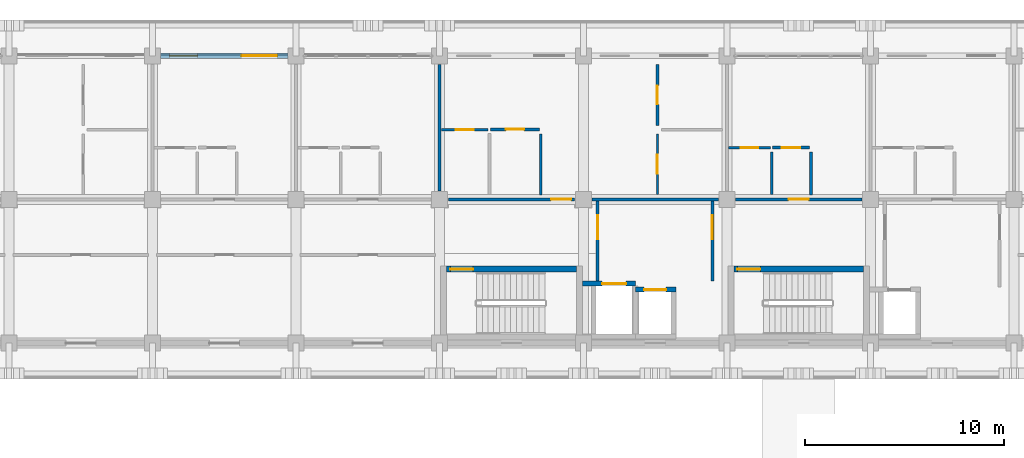
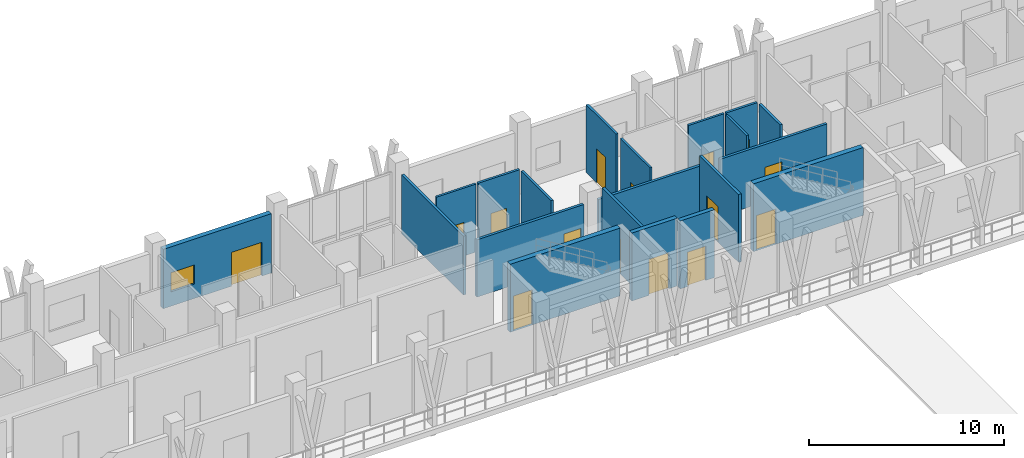
# One storey, part 75 of 110: 20 walls, 15 doors, 1 window, 16 openings.
"""IFC4 building model written with IfcOpenShell, lengths in metres."""

from ifc_helpers import new_model, si_unit, direction, frame, frame_2d, origin, place, context, subcontext, project, spatial, rectangle, extrude, material, layer, layer_set, type_object, element, fill, save


model = new_model("IFC4")

# Units and contexts
model_context = context("Model", 3, precision=1e-05, world=origin(), true_north=direction((0.0, 1.0)))
body_context = subcontext(model_context, "Body", "Model", "MODEL_VIEW")
ifc_project = project(units=[si_unit("LENGTHUNIT", "METRE"), si_unit("AREAUNIT", "SQUARE_METRE"), si_unit("VOLUMEUNIT", "CUBIC_METRE"), si_unit("PLANEANGLEUNIT", "RADIAN"), si_unit("MASSUNIT", "GRAM", prefix="KILO")], contexts=[model_context])

# Site, building, storey
site_placement = place(None, origin())
site = spatial("IfcSite", under=ifc_project, at=site_placement, CompositionType="ELEMENT")
building_placement = place(site_placement, origin())
building = spatial("IfcBuilding", under=site, at=building_placement, Name="Suanplinth Sawtooth Commons", CompositionType="ELEMENT")
storey_placement = place(building_placement, frame((0.0, 0.0, 4.5)))
storey = spatial("IfcBuildingStorey", under=building, at=storey_placement, Name="L01", CompositionType="ELEMENT", Elevation=4.5)

# Wall, opening, door
ifc_material_1 = material(Name="Concrete C40/50", Category="concrete")
ifc_layer_1 = layer(ifc_material_1, 0.300048828125, Name="Standard RC stair and lift core wall 300mm")
ifc_layer_set_1 = layer_set([ifc_layer_1], Name="Concrete C40/50")
wall_type_1 = type_object("IfcWallType", Name="W-CR02", PredefinedType="SHEAR", material=ifc_layer_set_1)
wall_1_placement = place(storey_placement, frame((43.550048828125, 111.699951171875, 0.0), z_axis=(0.0, 0.0, 1.0), x_axis=(1.0, 0.0, 0.0)))
wall_1 = element("IfcWall", 1, at=wall_1_placement, inside=storey, type_object=wall_type_1, Name="W-L01-C-A1-STN", PredefinedType="SHEAR", context=body_context, shape_type="SweptSolid", body=[
    extrude(rectangle(XDim=6.5, YDim=0.300048828125, at=frame_2d((3.25, 0.0))), origin(), (0.0, 0.0, 1.0), 4.25),
])
opening_1_placement = place(wall_1_placement, frame((0.179931640625, 0.0, 0.0)))
opening_1 = element("IfcOpeningElement", 2, at=opening_1_placement, cuts=wall_1, Name="Opening FD0011", PredefinedType="OPENING", context=body_context, shape_type="SweptSolid", body=[
    extrude(rectangle(XDim=1.14990234375, YDim=2.199951171875, at=frame_2d((0.574951171875, 1.10009765625))), frame((0.0, 0.1650390625, 0.0), z_axis=(0.0, -1.0, 0.0), x_axis=(1.0, 0.0, 0.0)), (0.0, 0.0, 1.0), 0.329833984375),
])
ifc_material_2 = material(Name="Teak hardwood fire-rated door assembly", Category="wood")
door_type_1 = type_object("IfcDoorType", Name="FD-01", OperationType="NOTDEFINED", PredefinedType="DOOR", material=ifc_material_2)
door_1_placement = place(opening_1_placement, frame((1.14990234375, 0.0, 0.0), z_axis=(0.0, 0.0, 1.0), x_axis=(-1.0, 0.0, 0.0)))
door_1 = element("IfcDoor", 3, at=door_1_placement, inside=storey, type_object=door_type_1, Name="Exit Stair Fire Door FD0011", OperationType="SINGLE_SWING_RIGHT", OverallHeight=2.199951171875, OverallWidth=1.14990234375, PredefinedType="DOOR", context=body_context, shape_type="SweptSolid", body=[
    extrude(rectangle(XDim=1.14990234375, YDim=2.199951171875, at=frame_2d((0.574951171875, 1.10009765625))), frame((0.0, 0.02490234375, 0.0), z_axis=(0.0, -1.0, 0.0), x_axis=(1.0, 0.0, 0.0)), (0.0, 0.0, 1.0), 0.050048828125),
])
fill(opening_1, door_1)

wall_2_placement = place(storey_placement, frame((57.949951171875, 111.699951171875, 0.0), z_axis=(0.0, 0.0, 1.0), x_axis=(1.0, 0.0, 0.0)))
wall_2 = element("IfcWall", 4, at=wall_2_placement, inside=storey, type_object=wall_type_1, Name="W-L01-C-A2-STN", PredefinedType="SHEAR", context=body_context, shape_type="SweptSolid", body=[
    extrude(rectangle(XDim=6.5, YDim=0.300048828125, at=frame_2d((3.25, 0.0))), origin(), (0.0, 0.0, 1.0), 4.25),
])
opening_2_placement = place(wall_2_placement, frame((0.179931640625, 0.0, 0.0)))
opening_2 = element("IfcOpeningElement", 5, at=opening_2_placement, cuts=wall_2, Name="Opening FD0094", PredefinedType="OPENING", context=body_context, shape_type="SweptSolid", body=[
    extrude(rectangle(XDim=1.14990234375, YDim=2.199951171875, at=frame_2d((0.574951171875, 1.10009765625))), frame((0.0, 0.1650390625, 0.0), z_axis=(0.0, -1.0, 0.0), x_axis=(1.0, 0.0, 0.0)), (0.0, 0.0, 1.0), 0.329833984375),
])
door_2_placement = place(opening_2_placement, frame((1.14990234375, 0.0, 0.0), z_axis=(0.0, 0.0, 1.0), x_axis=(-1.0, 0.0, 0.0)))
door_2 = element("IfcDoor", 6, at=door_2_placement, inside=storey, type_object=door_type_1, Name="Exit Stair Fire Door FD0094", OperationType="SINGLE_SWING_LEFT", OverallHeight=2.199951171875, OverallWidth=1.14990234375, PredefinedType="DOOR", context=body_context, shape_type="SweptSolid", body=[
    extrude(rectangle(XDim=1.14990234375, YDim=2.199951171875, at=frame_2d((0.574951171875, 1.10009765625))), frame((0.0, 0.02490234375, 0.0), z_axis=(0.0, -1.0, 0.0), x_axis=(1.0, 0.0, 0.0)), (0.0, 0.0, 1.0), 0.050048828125),
])
fill(opening_2, door_2)

# Wall, openings, door, window
ifc_material_3 = material(Name="Precast concrete C40/50", Category="concrete")
ifc_layer_2 = layer(ifc_material_3, 0.280029296875, Name="Insulated precast architectural facade wall 280mm")
ifc_layer_set_2 = layer_set([ifc_layer_2], Name="Precast concrete C40/50")
wall_type_2 = type_object("IfcWallType", Name="W-EX01", PredefinedType="ELEMENTEDWALL", material=ifc_layer_set_2)
wall_3_placement = place(storey_placement, frame((29.199951171875, 122.39990234375, 0.0), z_axis=(0.0, 0.0, 1.0), x_axis=(1.0, 0.0, 0.0)))
wall_3 = element("IfcWall", 7, at=wall_3_placement, inside=storey, type_object=wall_type_2, Name="Facade Wall W-L01-A-N-4", PredefinedType="ELEMENTEDWALL", context=body_context, shape_type="SweptSolid", body=[
    extrude(rectangle(XDim=6.400146484375, YDim=0.280029296875, at=frame_2d((3.2001953125, 0.0))), origin(), (0.0, 0.0, 1.0), 3.715087890625),
])
opening_3_placement = place(wall_3_placement, frame((4.050048828125, 0.0, 0.0)))
opening_3 = element("IfcOpeningElement", 8, at=opening_3_placement, cuts=wall_3, Name="Opening ED0046", PredefinedType="OPENING", context=body_context, shape_type="SweptSolid", body=[
    extrude(rectangle(XDim=1.800048828125, YDim=2.1201171875, at=frame_2d((0.89990234375, 1.06005859375))), frame((0.0, 0.15478515625, 0.0), z_axis=(0.0, -1.0, 0.0), x_axis=(1.0, 0.0, 0.0)), (0.0, 0.0, 1.0), 0.309814453125),
])
opening_4_placement = place(wall_3_placement, frame((0.449951171875, 0.0, 0.89990234375)))
opening_4 = element("IfcOpeningElement", 9, at=opening_4_placement, cuts=wall_3, Name="Opening W0171", PredefinedType="OPENING", context=body_context, shape_type="SweptSolid", body=[
    extrude(rectangle(XDim=1.39990234375, YDim=1.199951171875, at=frame_2d((0.699951171875, 0.60009765625))), frame((0.0, 0.15478515625, 0.0), z_axis=(0.0, -1.0, 0.0), x_axis=(1.0, 0.0, 0.0)), (0.0, 0.0, 1.0), 0.309814453125),
])
ifc_material_4 = material(Name="Anodized aluminium and low-E glass", Category="aluminium")
door_type_2 = type_object("IfcDoorType", Name="SD-01", OperationType="SLIDING_TO_LEFT", PredefinedType="DOOR", material=ifc_material_4)
door_3_placement = place(opening_3_placement, frame((1.800048828125, 0.0, 0.0), z_axis=(0.0, 0.0, 1.0), x_axis=(-1.0, 0.0, 0.0)))
door_3 = element("IfcDoor", 10, at=door_3_placement, inside=storey, type_object=door_type_2, Name="Balcony Sliding Door L01-A-N-4", OperationType="SLIDING_TO_LEFT", OverallHeight=2.1201171875, OverallWidth=1.800048828125, PredefinedType="DOOR", context=body_context, shape_type="SweptSolid", body=[
    extrude(rectangle(XDim=1.800048828125, YDim=2.1201171875, at=frame_2d((0.89990234375, 1.06005859375))), frame((0.0, 0.02490234375, 0.0), z_axis=(0.0, -1.0, 0.0), x_axis=(1.0, 0.0, 0.0)), (0.0, 0.0, 1.0), 0.050048828125),
])
fill(opening_3, door_3)
ifc_material_5 = material(Name="Thermally broken aluminium and low-E double glazing", Category="aluminium")
window_type = type_object("IfcWindowType", Name="WN-10", PartitioningType="DOUBLE_PANEL_HORIZONTAL", PredefinedType="WINDOW", material=ifc_material_5)
window_placement = place(opening_4_placement, origin())
window = element("IfcWindow", 11, at=window_placement, inside=storey, type_object=window_type, Name="Window L01-A-N-4", OverallHeight=1.199951171875, OverallWidth=1.39990234375, PartitioningType="DOUBLE_PANEL_HORIZONTAL", PredefinedType="WINDOW", context=body_context, shape_type="SweptSolid", body=[
    extrude(rectangle(XDim=1.39990234375, YDim=1.199951171875, at=frame_2d((0.699951171875, 0.60009765625))), frame((0.0, 0.030029296875, 0.0), z_axis=(0.0, -1.0, 0.0), x_axis=(1.0, 0.0, 0.0)), (0.0, 0.0, 1.0), 0.06005859375),
])
fill(opening_4, window)

# Wall, opening, door
ifc_layer_3 = layer(ifc_material_3, 0.159912109375, Name="Fire-rated corridor and lobby wall 160mm")
ifc_layer_set_3 = layer_set([ifc_layer_3], Name="Precast concrete C40/50")
wall_type_3 = type_object("IfcWallType", Name="W-FW01", PredefinedType="PARTITIONING", material=ifc_layer_set_3)
wall_4_placement = place(storey_placement, frame((51.1201171875, 111.10009765625, 0.0), z_axis=(0.0, 0.0, 1.0), x_axis=(0.0, 1.0, 0.0)))
wall_4 = element("IfcWall", 12, at=wall_4_placement, inside=storey, type_object=wall_type_3, Name="W-L01-C-A1-LOB-W", PredefinedType="PARTITIONING", context=body_context, shape_type="SweptSolid", body=[
    extrude(rectangle(XDim=4.02001953125, YDim=0.159912109375, at=frame_2d((2.010009765625, 0.0))), origin(), (0.0, 0.0, 1.0), 4.25),
])
opening_5_placement = place(wall_4_placement, frame((2.10009765625, 0.0, 0.0)))
opening_5 = element("IfcOpeningElement", 13, at=opening_5_placement, cuts=wall_4, Name="Opening FD0012", PredefinedType="OPENING", context=body_context, shape_type="SweptSolid", body=[
    extrude(rectangle(XDim=1.199951171875, YDim=2.199951171875, at=frame_2d((0.60009765625, 1.10009765625))), frame((0.0, 0.0947265625, 0.0), z_axis=(0.0, -1.0, 0.0), x_axis=(1.0, 0.0, 0.0)), (0.0, 0.0, 1.0), 0.189697265625),
])
door_type_3 = type_object("IfcDoorType", Name="FD-02", OperationType="NOTDEFINED", PredefinedType="DOOR", material=ifc_material_2)
door_4_placement = place(opening_5_placement, origin())
door_4 = element("IfcDoor", 14, at=door_4_placement, inside=storey, type_object=door_type_3, Name="Lobby Fire Door FD0012", OperationType="SINGLE_SWING_LEFT", OverallHeight=2.199951171875, OverallWidth=1.199951171875, PredefinedType="DOOR", context=body_context, shape_type="SweptSolid", body=[
    extrude(rectangle(XDim=1.199951171875, YDim=2.199951171875, at=frame_2d((0.60009765625, 1.10009765625))), frame((0.0, 0.02490234375, 0.0), z_axis=(0.0, -1.0, 0.0), x_axis=(1.0, 0.0, 0.0)), (0.0, 0.0, 1.0), 0.050048828125),
])
fill(opening_5, door_4)

wall_5_placement = place(storey_placement, frame((56.8798828125, 111.10009765625, 0.0), z_axis=(0.0, 0.0, 1.0), x_axis=(0.0, 1.0, 0.0)))
wall_5 = element("IfcWall", 15, at=wall_5_placement, inside=storey, type_object=wall_type_3, Name="W-L01-C-A1-LOB-E", PredefinedType="PARTITIONING", context=body_context, shape_type="SweptSolid", body=[
    extrude(rectangle(XDim=4.02001953125, YDim=0.159912109375, at=frame_2d((2.010009765625, 0.0))), origin(), (0.0, 0.0, 1.0), 4.25),
])
opening_6_placement = place(wall_5_placement, frame((2.10009765625, 0.0, 0.0)))
opening_6 = element("IfcOpeningElement", 16, at=opening_6_placement, cuts=wall_5, Name="Opening FD0013", PredefinedType="OPENING", context=body_context, shape_type="SweptSolid", body=[
    extrude(rectangle(XDim=1.199951171875, YDim=2.199951171875, at=frame_2d((0.60009765625, 1.10009765625))), frame((0.0, 0.0947265625, 0.0), z_axis=(0.0, -1.0, 0.0), x_axis=(1.0, 0.0, 0.0)), (0.0, 0.0, 1.0), 0.189697265625),
])
door_5_placement = place(opening_6_placement, frame((1.199951171875, 0.0, 0.0), z_axis=(0.0, 0.0, 1.0), x_axis=(-1.0, 0.0, 0.0)))
door_5 = element("IfcDoor", 17, at=door_5_placement, inside=storey, type_object=door_type_3, Name="Lobby Fire Door FD0013", OperationType="SINGLE_SWING_RIGHT", OverallHeight=2.199951171875, OverallWidth=1.199951171875, PredefinedType="DOOR", context=body_context, shape_type="SweptSolid", body=[
    extrude(rectangle(XDim=1.199951171875, YDim=2.199951171875, at=frame_2d((0.60009765625, 1.10009765625))), frame((0.0, 0.02490234375, 0.0), z_axis=(0.0, -1.0, 0.0), x_axis=(1.0, 0.0, 0.0)), (0.0, 0.0, 1.0), 0.050048828125),
])
fill(opening_6, door_5)

wall_6_placement = place(storey_placement, frame((43.6298828125, 115.199951171875, 0.0), z_axis=(0.0, 0.0, 1.0), x_axis=(1.0, 0.0, 0.0)))
wall_6 = element("IfcWall", 18, at=wall_6_placement, inside=storey, type_object=wall_type_3, Name="W-A-L01-U06-COR-S1", PredefinedType="PARTITIONING", context=body_context, shape_type="SweptSolid", body=[
    extrude(rectangle(XDim=6.340087890625, YDim=0.159912109375, at=frame_2d((3.169921875, 0.0))), origin(), (0.0, 0.0, 1.0), 3.5849609375),
])
opening_7_placement = place(wall_6_placement, frame((5.159912109375, 0.0, 0.0)))
opening_7 = element("IfcOpeningElement", 19, at=opening_7_placement, cuts=wall_6, Name="Opening FD0539", PredefinedType="OPENING", context=body_context, shape_type="SweptSolid", body=[
    extrude(rectangle(XDim=1.0, YDim=2.14990234375, at=frame_2d((0.5, 1.074951171875))), frame((0.0, 0.0947265625, 0.0), z_axis=(0.0, -1.0, 0.0), x_axis=(1.0, 0.0, 0.0)), (0.0, 0.0, 1.0), 0.189697265625),
])
door_type_4 = type_object("IfcDoorType", Name="FD-03", OperationType="NOTDEFINED", PredefinedType="DOOR", material=ifc_material_2)
door_6_placement = place(opening_7_placement, origin())
door_6 = element("IfcDoor", 20, at=door_6_placement, inside=storey, type_object=door_type_4, Name="Unit Entrance Door FD0539", OperationType="SINGLE_SWING_LEFT", OverallHeight=2.14990234375, OverallWidth=1.0, PredefinedType="DOOR", context=body_context, shape_type="SweptSolid", body=[
    extrude(rectangle(XDim=1.0, YDim=2.14990234375, at=frame_2d((0.5, 1.074951171875))), frame((0.0, 0.02490234375, 0.0), z_axis=(0.0, -1.0, 0.0), x_axis=(1.0, 0.0, 0.0)), (0.0, 0.0, 1.0), 0.050048828125),
])
fill(opening_7, door_6)

# Wall
wall_7_placement = place(storey_placement, frame((50.830078125, 115.199951171875, 0.0), z_axis=(0.0, 0.0, 1.0), x_axis=(1.0, 0.0, 0.0)))
element("IfcWall", 21, at=wall_7_placement, inside=storey, type_object=wall_type_3, Name="W-A-L01-U06-COR-S2", PredefinedType="PARTITIONING", context=body_context, shape_type="SweptSolid", body=[
    extrude(rectangle(XDim=6.33984375, YDim=0.159912109375, at=frame_2d((3.169921875, 0.0))), origin(), (0.0, 0.0, 1.0), 3.5849609375),
])

# Wall, opening, door
wall_8_placement = place(storey_placement, frame((58.030029296875, 115.199951171875, 0.0), z_axis=(0.0, 0.0, 1.0), x_axis=(1.0, 0.0, 0.0)))
wall_8 = element("IfcWall", 22, at=wall_8_placement, inside=storey, type_object=wall_type_3, Name="W-A-L01-U07-COR", PredefinedType="PARTITIONING", context=body_context, shape_type="SweptSolid", body=[
    extrude(rectangle(XDim=6.340087890625, YDim=0.159912109375, at=frame_2d((3.169921875, 0.0))), origin(), (0.0, 0.0, 1.0), 3.5849609375),
])
opening_8_placement = place(wall_8_placement, frame((2.669921875, 0.0, 0.0)))
opening_8 = element("IfcOpeningElement", 23, at=opening_8_placement, cuts=wall_8, Name="Opening FD0544", PredefinedType="OPENING", context=body_context, shape_type="SweptSolid", body=[
    extrude(rectangle(XDim=1.0, YDim=2.14990234375, at=frame_2d((0.5, 1.074951171875))), frame((0.0, 0.0947265625, 0.0), z_axis=(0.0, -1.0, 0.0), x_axis=(1.0, 0.0, 0.0)), (0.0, 0.0, 1.0), 0.189697265625),
])
door_7_placement = place(opening_8_placement, origin())
door_7 = element("IfcDoor", 24, at=door_7_placement, inside=storey, type_object=door_type_4, Name="Unit Entrance Door FD0544", OperationType="SINGLE_SWING_RIGHT", OverallHeight=2.14990234375, OverallWidth=1.0, PredefinedType="DOOR", context=body_context, shape_type="SweptSolid", body=[
    extrude(rectangle(XDim=1.0, YDim=2.14990234375, at=frame_2d((0.5, 1.074951171875))), frame((0.0, 0.02490234375, 0.0), z_axis=(0.0, -1.0, 0.0), x_axis=(1.0, 0.0, 0.0)), (0.0, 0.0, 1.0), 0.050048828125),
])
fill(opening_8, door_7)

# Wall
ifc_layer_4 = layer(ifc_material_3, 0.14990234375, Name="Acoustic precast party demising wall 150mm")
ifc_layer_set_4 = layer_set([ifc_layer_4], Name="Precast concrete C40/50")
wall_type_4 = type_object("IfcWallType", Name="W-FW02", PredefinedType="PARTITIONING", material=ifc_layer_set_4)
wall_9_placement = place(storey_placement, frame((43.199951171875, 115.6298828125, 0.0), z_axis=(0.0, 0.0, 1.0), x_axis=(0.0, 1.0, 0.0)))
element("IfcWall", 25, at=wall_9_placement, inside=storey, type_object=wall_type_4, Name="W-A-L01-U05-PTY", PredefinedType="PARTITIONING", context=body_context, shape_type="SweptSolid", body=[
    extrude(rectangle(XDim=6.340087890625, YDim=0.14990234375, at=frame_2d((3.169921875, 0.0))), origin(), (0.0, 0.0, 1.0), 3.68505859375),
])

# Wall, opening, door
ifc_material_6 = material(Name="Gypsum plasterboard on steel stud", Category="steel")
ifc_layer_5 = layer(ifc_material_6, 0.139892578125, Name="Fire-rated kitchen partition 140mm")
ifc_layer_set_5 = layer_set([ifc_layer_5], Name="Gypsum plasterboard on steel stud")
wall_type_5 = type_object("IfcWallType", Name="W-PT01", PredefinedType="PARTITIONING", material=ifc_layer_set_5)
wall_10_placement = place(storey_placement, frame((45.75, 118.7099609375, 0.0), z_axis=(0.0, 0.0, 1.0), x_axis=(1.0, 0.0, 0.0)))
wall_10 = element("IfcWall", 26, at=wall_10_placement, inside=storey, type_object=wall_type_5, Name="W-A-L01-U06-KIT1", PredefinedType="PARTITIONING", context=body_context, shape_type="SweptSolid", body=[
    extrude(rectangle(XDim=2.449951171875, YDim=0.139892578125, at=frame_2d((1.22509765625, 0.0))), origin(), (0.0, 0.0, 1.0), 4.25),
])
opening_9_placement = place(wall_10_placement, frame((0.764892578125, 0.0, 0.0)))
opening_9 = element("IfcOpeningElement", 27, at=opening_9_placement, cuts=wall_10, Name="Opening D0541", PredefinedType="OPENING", context=body_context, shape_type="SweptSolid", body=[
    extrude(rectangle(XDim=0.919921875, YDim=2.10009765625, at=frame_2d((0.4599609375, 1.050048828125))), frame((0.0, 0.0849609375, 0.0), z_axis=(0.0, -1.0, 0.0), x_axis=(1.0, 0.0, 0.0)), (0.0, 0.0, 1.0), 0.169677734375),
])
ifc_material_7 = material(Name="Teak hardwood", Category="wood")
door_type_5 = type_object("IfcDoorType", Name="D-02", OperationType="NOTDEFINED", PredefinedType="DOOR", material=ifc_material_7)
door_8_placement = place(opening_9_placement, frame((0.919921875, 0.0, 0.0), z_axis=(0.0, 0.0, 1.0), x_axis=(-1.0, 0.0, 0.0)))
door_8 = element("IfcDoor", 28, at=door_8_placement, inside=storey, type_object=door_type_5, Name="Kitchen Door D0541", OperationType="SINGLE_SWING_LEFT", OverallHeight=2.10009765625, OverallWidth=0.919921875, PredefinedType="DOOR", context=body_context, shape_type="SweptSolid", body=[
    extrude(rectangle(XDim=0.919921875, YDim=2.10009765625, at=frame_2d((0.4599609375, 1.050048828125))), frame((0.0, 0.02490234375, 0.0), z_axis=(0.0, -1.0, 0.0), x_axis=(1.0, 0.0, 0.0)), (0.0, 0.0, 1.0), 0.050048828125),
])
fill(opening_9, door_8)

# Wall
wall_11_placement = place(storey_placement, frame((48.27001953125, 115.429931640625, 0.0), z_axis=(0.0, 0.0, 1.0), x_axis=(0.0, 1.0, 0.0)))
element("IfcWall", 29, at=wall_11_placement, inside=storey, type_object=wall_type_5, Name="W-A-L01-U06-KIT2", PredefinedType="PARTITIONING", context=body_context, shape_type="SweptSolid", body=[
    extrude(rectangle(XDim=3.06005859375, YDim=0.139892578125, at=frame_2d((1.530029296875, 0.0))), origin(), (0.0, 0.0, 1.0), 4.25),
])

# Wall, opening, door
wall_12_placement = place(storey_placement, frame((59.89990234375, 117.800048828125, 0.0), z_axis=(0.0, 0.0, 1.0), x_axis=(1.0, 0.0, 0.0)))
wall_12 = element("IfcWall", 30, at=wall_12_placement, inside=storey, type_object=wall_type_5, Name="W-A-L01-U07-KIT1", PredefinedType="PARTITIONING", context=body_context, shape_type="SweptSolid", body=[
    extrude(rectangle(XDim=1.85009765625, YDim=0.139892578125, at=frame_2d((0.925048828125, 0.0))), origin(), (0.0, 0.0, 1.0), 4.25),
])
opening_10_placement = place(wall_12_placement, frame((0.465087890625, 0.0, 0.0)))
opening_10 = element("IfcOpeningElement", 31, at=opening_10_placement, cuts=wall_12, Name="Opening D0546", PredefinedType="OPENING", context=body_context, shape_type="SweptSolid", body=[
    extrude(rectangle(XDim=0.919921875, YDim=2.10009765625, at=frame_2d((0.4599609375, 1.050048828125))), frame((0.0, 0.0849609375, 0.0), z_axis=(0.0, -1.0, 0.0), x_axis=(1.0, 0.0, 0.0)), (0.0, 0.0, 1.0), 0.169677734375),
])
door_9_placement = place(opening_10_placement, frame((0.919921875, 0.0, 0.0), z_axis=(0.0, 0.0, 1.0), x_axis=(-1.0, 0.0, 0.0)))
door_9 = element("IfcDoor", 32, at=door_9_placement, inside=storey, type_object=door_type_5, Name="Kitchen Door D0546", OperationType="SINGLE_SWING_RIGHT", OverallHeight=2.10009765625, OverallWidth=0.919921875, PredefinedType="DOOR", context=body_context, shape_type="SweptSolid", body=[
    extrude(rectangle(XDim=0.919921875, YDim=2.10009765625, at=frame_2d((0.4599609375, 1.050048828125))), frame((0.0, 0.02490234375, 0.0), z_axis=(0.0, -1.0, 0.0), x_axis=(1.0, 0.0, 0.0)), (0.0, 0.0, 1.0), 0.050048828125),
])
fill(opening_10, door_9)

# Wall
wall_13_placement = place(storey_placement, frame((61.820068359375, 115.429931640625, 0.0), z_axis=(0.0, 0.0, 1.0), x_axis=(0.0, 1.0, 0.0)))
element("IfcWall", 33, at=wall_13_placement, inside=storey, type_object=wall_type_5, Name="W-A-L01-U07-KIT2", PredefinedType="PARTITIONING", context=body_context, shape_type="SweptSolid", body=[
    extrude(rectangle(XDim=2.150146484375, YDim=0.139892578125, at=frame_2d((1.0751953125, 0.0))), origin(), (0.0, 0.0, 1.0), 4.25),
])

# Wall, opening, door
ifc_layer_6 = layer(ifc_material_6, 0.1298828125, Name="Moisture-resistant bathroom partition 130mm")
ifc_layer_set_6 = layer_set([ifc_layer_6], Name="Gypsum plasterboard on steel stud")
wall_type_6 = type_object("IfcWallType", Name="W-PT02", PredefinedType="PARTITIONING", material=ifc_layer_set_6)
wall_14_placement = place(storey_placement, frame((43.280029296875, 118.705078125, 0.0), z_axis=(0.0, 0.0, 1.0), x_axis=(1.0, 0.0, 0.0)))
wall_14 = element("IfcWall", 34, at=wall_14_placement, inside=storey, type_object=wall_type_6, Name="W-A-L01-U06-BTH1", PredefinedType="PARTITIONING", context=body_context, shape_type="SweptSolid", body=[
    extrude(rectangle(XDim=2.349853515625, YDim=0.1298828125, at=frame_2d((1.1748046875, 0.0))), origin(), (0.0, 0.0, 1.0), 4.25),
])
opening_11_placement = place(wall_14_placement, frame((0.72509765625, 0.0, 0.0)))
opening_11 = element("IfcOpeningElement", 35, at=opening_11_placement, cuts=wall_14, Name="Opening D0540", PredefinedType="OPENING", context=body_context, shape_type="SweptSolid", body=[
    extrude(rectangle(XDim=0.89990234375, YDim=2.10009765625, at=frame_2d((0.449951171875, 1.050048828125))), frame((0.0, 0.079833984375, 0.0), z_axis=(0.0, -1.0, 0.0), x_axis=(1.0, 0.0, 0.0)), (0.0, 0.0, 1.0), 0.15966796875),
])
door_type_6 = type_object("IfcDoorType", Name="D-01", OperationType="NOTDEFINED", PredefinedType="DOOR", material=ifc_material_7)
door_10_placement = place(opening_11_placement, frame((0.89990234375, 0.0, 0.0), z_axis=(0.0, 0.0, 1.0), x_axis=(-1.0, 0.0, 0.0)))
door_10 = element("IfcDoor", 36, at=door_10_placement, inside=storey, type_object=door_type_6, Name="Bathroom Door D0540", OperationType="SINGLE_SWING_RIGHT", OverallHeight=2.10009765625, OverallWidth=0.89990234375, PredefinedType="DOOR", context=body_context, shape_type="SweptSolid", body=[
    extrude(rectangle(XDim=0.89990234375, YDim=2.10009765625, at=frame_2d((0.449951171875, 1.050048828125))), frame((0.0, 0.02490234375, 0.0), z_axis=(0.0, -1.0, 0.0), x_axis=(1.0, 0.0, 0.0)), (0.0, 0.0, 1.0), 0.050048828125),
])
fill(opening_11, door_10)

wall_15_placement = place(storey_placement, frame((57.679931640625, 117.794921875, 0.0), z_axis=(0.0, 0.0, 1.0), x_axis=(1.0, 0.0, 0.0)))
wall_15 = element("IfcWall", 37, at=wall_15_placement, inside=storey, type_object=wall_type_6, Name="W-A-L01-U07-BTH1", PredefinedType="PARTITIONING", context=body_context, shape_type="SweptSolid", body=[
    extrude(rectangle(XDim=2.10009765625, YDim=0.1298828125, at=frame_2d((1.050048828125, 0.0))), origin(), (0.0, 0.0, 1.0), 4.25),
])
opening_12_placement = place(wall_15_placement, frame((0.610107421875, 0.0, 0.0)))
opening_12 = element("IfcOpeningElement", 38, at=opening_12_placement, cuts=wall_15, Name="Opening D0545", PredefinedType="OPENING", context=body_context, shape_type="SweptSolid", body=[
    extrude(rectangle(XDim=0.8798828125, YDim=2.10009765625, at=frame_2d((0.43994140625, 1.050048828125))), frame((0.0, 0.079833984375, 0.0), z_axis=(0.0, -1.0, 0.0), x_axis=(1.0, 0.0, 0.0)), (0.0, 0.0, 1.0), 0.15966796875),
])
door_type_7 = type_object("IfcDoorType", Name="D-14", OperationType="NOTDEFINED", PredefinedType="DOOR", material=ifc_material_7)
door_11_placement = place(opening_12_placement, frame((0.8798828125, 0.0, 0.0), z_axis=(0.0, 0.0, 1.0), x_axis=(-1.0, 0.0, 0.0)))
door_11 = element("IfcDoor", 39, at=door_11_placement, inside=storey, type_object=door_type_7, Name="Bathroom Door D0545", OperationType="SINGLE_SWING_LEFT", OverallHeight=2.10009765625, OverallWidth=0.8798828125, PredefinedType="DOOR", context=body_context, shape_type="SweptSolid", body=[
    extrude(rectangle(XDim=0.8798828125, YDim=2.10009765625, at=frame_2d((0.43994140625, 1.050048828125))), frame((0.0, 0.02490234375, 0.0), z_axis=(0.0, -1.0, 0.0), x_axis=(1.0, 0.0, 0.0)), (0.0, 0.0, 1.0), 0.050048828125),
])
fill(opening_12, door_11)

# Wall
wall_16_placement = place(storey_placement, frame((59.844970703125, 115.4599609375, 0.0), z_axis=(0.0, 0.0, 1.0), x_axis=(0.0, 1.0, 0.0)))
element("IfcWall", 40, at=wall_16_placement, inside=storey, type_object=wall_type_6, Name="W-A-L01-U07-BTH2", PredefinedType="PARTITIONING", context=body_context, shape_type="SweptSolid", body=[
    extrude(rectangle(XDim=2.130126953125, YDim=0.1298828125, at=frame_2d((1.06494140625, 0.0))), origin(), (0.0, 0.0, 1.0), 4.25),
])

# Wall, opening, door
ifc_layer_7 = layer(ifc_material_6, 0.1201171875, Name="Acoustic bedroom partition 120mm")
ifc_layer_set_7 = layer_set([ifc_layer_7], Name="Gypsum plasterboard on steel stud")
wall_type_7 = type_object("IfcWallType", Name="W-PT03", PredefinedType="PARTITIONING", material=ifc_layer_set_7)
wall_17_placement = place(storey_placement, frame((54.1201171875, 115.43994140625, 0.0), z_axis=(0.0, 0.0, 1.0), x_axis=(0.0, 1.0, 0.0)))
wall_17 = element("IfcWall", 41, at=wall_17_placement, inside=storey, type_object=wall_type_7, Name="W-A-L01-U06-BED2", PredefinedType="PARTITIONING", context=body_context, shape_type="SweptSolid", body=[
    extrude(rectangle(XDim=3.0400390625, YDim=0.1201171875, at=frame_2d((1.52001953125, 0.0))), origin(), (0.0, 0.0, 1.0), 4.25),
])
opening_13_placement = place(wall_17_placement, frame((1.0400390625, 0.0, 0.0)))
opening_13 = element("IfcOpeningElement", 42, at=opening_13_placement, cuts=wall_17, Name="Opening D0543", PredefinedType="OPENING", context=body_context, shape_type="SweptSolid", body=[
    extrude(rectangle(XDim=0.9599609375, YDim=2.14990234375, at=frame_2d((0.47998046875, 1.074951171875))), frame((0.0, 0.074951171875, 0.0), z_axis=(0.0, -1.0, 0.0), x_axis=(1.0, 0.0, 0.0)), (0.0, 0.0, 1.0), 0.14990234375),
])
door_type_8 = type_object("IfcDoorType", Name="D-13", OperationType="NOTDEFINED", PredefinedType="DOOR", material=ifc_material_7)
door_12_placement = place(opening_13_placement, frame((0.9599609375, 0.0, 0.0), z_axis=(0.0, 0.0, 1.0), x_axis=(-1.0, 0.0, 0.0)))
door_12 = element("IfcDoor", 43, at=door_12_placement, inside=storey, type_object=door_type_8, Name="Second Bedroom Door D0543", OperationType="SINGLE_SWING_LEFT", OverallHeight=2.14990234375, OverallWidth=0.9599609375, PredefinedType="DOOR", context=body_context, shape_type="SweptSolid", body=[
    extrude(rectangle(XDim=0.9599609375, YDim=2.14990234375, at=frame_2d((0.47998046875, 1.074951171875))), frame((0.0, 0.02490234375, 0.0), z_axis=(0.0, -1.0, 0.0), x_axis=(1.0, 0.0, 0.0)), (0.0, 0.0, 1.0), 0.050048828125),
])
fill(opening_13, door_12)

ifc_layer_8 = layer(ifc_material_6, 0.135009765625, Name="Insulated bedroom demising partition 135mm")
ifc_layer_set_8 = layer_set([ifc_layer_8], Name="Gypsum plasterboard on steel stud")
wall_type_8 = type_object("IfcWallType", Name="W-PT07", PredefinedType="PARTITIONING", material=ifc_layer_set_8)
wall_18_placement = place(storey_placement, frame((54.1201171875, 118.919921875, 0.0), z_axis=(0.0, 0.0, 1.0), x_axis=(0.0, 1.0, 0.0)))
wall_18 = element("IfcWall", 44, at=wall_18_placement, inside=storey, type_object=wall_type_8, Name="W-A-L01-U06-BED1", PredefinedType="PARTITIONING", context=body_context, shape_type="SweptSolid", body=[
    extrude(rectangle(XDim=3.0400390625, YDim=0.135009765625, at=frame_2d((1.52001953125, 0.0))), origin(), (0.0, 0.0, 1.0), 4.25),
])
opening_14_placement = place(wall_18_placement, frame((1.044921875, 0.0, 0.0)))
opening_14 = element("IfcOpeningElement", 45, at=opening_14_placement, cuts=wall_18, Name="Opening D0542", PredefinedType="OPENING", context=body_context, shape_type="SweptSolid", body=[
    extrude(rectangle(XDim=0.949951171875, YDim=2.14990234375, at=frame_2d((0.47509765625, 1.074951171875))), frame((0.0, 0.08251953125, 0.0), z_axis=(0.0, -1.0, 0.0), x_axis=(1.0, 0.0, 0.0)), (0.0, 0.0, 1.0), 0.164794921875),
])
door_type_9 = type_object("IfcDoorType", Name="D-03", OperationType="NOTDEFINED", PredefinedType="DOOR", material=ifc_material_7)
door_13_placement = place(opening_14_placement, frame((0.949951171875, 0.0, 0.0), z_axis=(0.0, 0.0, 1.0), x_axis=(-1.0, 0.0, 0.0)))
door_13 = element("IfcDoor", 46, at=door_13_placement, inside=storey, type_object=door_type_9, Name="Bedroom Door D0542", OperationType="SINGLE_SWING_RIGHT", OverallHeight=2.14990234375, OverallWidth=0.949951171875, PredefinedType="DOOR", context=body_context, shape_type="SweptSolid", body=[
    extrude(rectangle(XDim=0.949951171875, YDim=2.14990234375, at=frame_2d((0.47509765625, 1.074951171875))), frame((0.0, 0.02490234375, 0.0), z_axis=(0.0, -1.0, 0.0), x_axis=(1.0, 0.0, 0.0)), (0.0, 0.0, 1.0), 0.050048828125),
])
fill(opening_14, door_13)

ifc_layer_9 = layer(ifc_material_3, 0.25, Name="Precast structural shear wall 250mm")
ifc_layer_set_9 = layer_set([ifc_layer_9], Name="Precast concrete C40/50")
wall_type_9 = type_object("IfcWallType", Name="W-SH01", PredefinedType="SHEAR", material=ifc_layer_set_9)
wall_19_placement = place(storey_placement, frame((50.35009765625, 110.97509765625, 0.0), z_axis=(0.0, 0.0, 1.0), x_axis=(1.0, 0.0, 0.0)))
wall_19 = element("IfcWall", 47, at=wall_19_placement, inside=storey, type_object=wall_type_9, Name="W-L01-FL1-N", PredefinedType="SHEAR", context=body_context, shape_type="SweptSolid", body=[
    extrude(rectangle(XDim=2.6748046875, YDim=0.25, at=frame_2d((1.33740234375, 0.0))), origin(), (0.0, 0.0, 1.0), 4.25),
])
opening_15_placement = place(wall_19_placement, frame((1.0, 0.0, 0.0)))
opening_15 = element("IfcOpeningElement", 48, at=opening_15_placement, cuts=wall_19, Name="Opening LD0014", PredefinedType="OPENING", context=body_context, shape_type="SweptSolid", body=[
    extrude(rectangle(XDim=1.199951171875, YDim=2.25, at=frame_2d((0.60009765625, 1.125))), frame((0.0, 0.139892578125, 0.0), z_axis=(0.0, -1.0, 0.0), x_axis=(1.0, 0.0, 0.0)), (0.0, 0.0, 1.0), 0.27978515625),
])
ifc_material_8 = material(Name="Stainless steel Grade 304", Category="steel")
door_type_10 = type_object("IfcDoorType", Name="LD-02", OperationType="SLIDING_TO_LEFT", PredefinedType="DOOR", material=ifc_material_8)
door_14_placement = place(opening_15_placement, origin())
door_14 = element("IfcDoor", 49, at=door_14_placement, inside=storey, type_object=door_type_10, Name="Lift Landing Sliding Door FL1 L01", OperationType="SLIDING_TO_LEFT", OverallHeight=2.25, OverallWidth=1.199951171875, PredefinedType="DOOR", context=body_context, shape_type="SweptSolid", body=[
    extrude(rectangle(XDim=1.199951171875, YDim=2.25, at=frame_2d((0.60009765625, 1.125))), frame((0.0, 0.02490234375, 0.0), z_axis=(0.0, -1.0, 0.0), x_axis=(1.0, 0.0, 0.0)), (0.0, 0.0, 1.0), 0.050048828125),
])
fill(opening_15, door_14)

wall_20_placement = place(storey_placement, frame((53.02490234375, 110.675048828125, 0.0), z_axis=(0.0, 0.0, 1.0), x_axis=(1.0, 0.0, 0.0)))
wall_20 = element("IfcWall", 50, at=wall_20_placement, inside=storey, type_object=wall_type_9, Name="W-L01-LF1-N", PredefinedType="SHEAR", context=body_context, shape_type="SweptSolid", body=[
    extrude(rectangle(XDim=2.025146484375, YDim=0.25, at=frame_2d((1.0126953125, 0.0))), origin(), (0.0, 0.0, 1.0), 4.25),
])
opening_16_placement = place(wall_20_placement, frame((0.425048828125, 0.0, 0.0)))
opening_16 = element("IfcOpeningElement", 51, at=opening_16_placement, cuts=wall_20, Name="Opening LD0015", PredefinedType="OPENING", context=body_context, shape_type="SweptSolid", body=[
    extrude(rectangle(XDim=1.10009765625, YDim=2.14990234375, at=frame_2d((0.550048828125, 1.074951171875))), frame((0.0, 0.139892578125, 0.0), z_axis=(0.0, -1.0, 0.0), x_axis=(1.0, 0.0, 0.0)), (0.0, 0.0, 1.0), 0.27978515625),
])
door_type_11 = type_object("IfcDoorType", Name="LD-01", OperationType="SLIDING_TO_LEFT", PredefinedType="DOOR", material=ifc_material_8)
door_15_placement = place(opening_16_placement, origin())
door_15 = element("IfcDoor", 52, at=door_15_placement, inside=storey, type_object=door_type_11, Name="Lift Landing Sliding Door LF1 L01", OperationType="SLIDING_TO_LEFT", OverallHeight=2.14990234375, OverallWidth=1.10009765625, PredefinedType="DOOR", context=body_context, shape_type="SweptSolid", body=[
    extrude(rectangle(XDim=1.10009765625, YDim=2.14990234375, at=frame_2d((0.550048828125, 1.074951171875))), frame((0.0, 0.02490234375, 0.0), z_axis=(0.0, -1.0, 0.0), x_axis=(1.0, 0.0, 0.0)), (0.0, 0.0, 1.0), 0.050048828125),
])
fill(opening_16, door_15)

save(model, "model.ifc")
